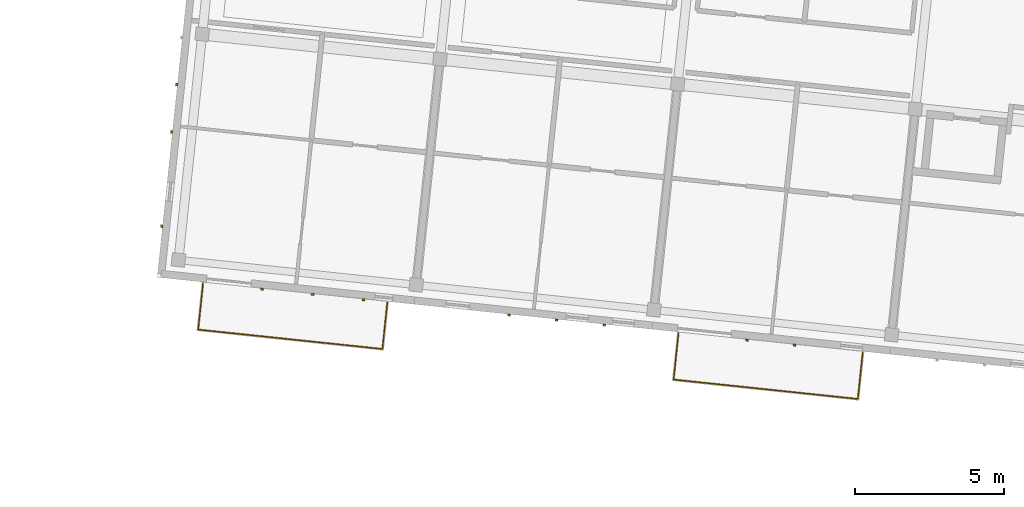
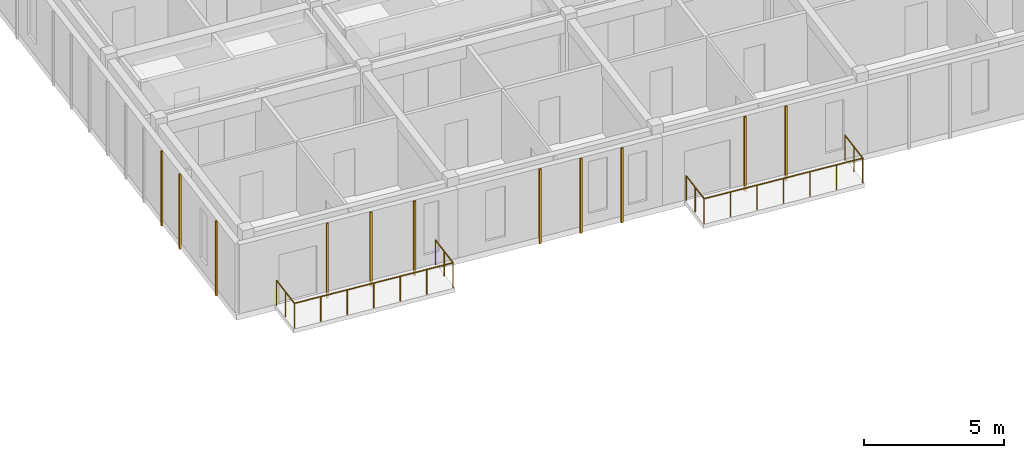
# One storey, part 47 of 56: 11 coverings, 2 railings.
"""IFC4 building model written with IfcOpenShell, lengths in metres."""

from ifc_helpers import new_model, si_unit, direction, frame, origin, origin_2d, place, context, subcontext, project, spatial, rectangle, circle, extrude, material, layer, layer_set, type_object, element, save


model = new_model("IFC4")

# Units and contexts
model_context = context("Model", 3, precision=1e-05, world=origin(), true_north=direction((0.0, 1.0)))
body_context = subcontext(model_context, "Body", "Model", "MODEL_VIEW")
ifc_project = project(units=[si_unit("LENGTHUNIT", "METRE"), si_unit("AREAUNIT", "SQUARE_METRE"), si_unit("VOLUMEUNIT", "CUBIC_METRE"), si_unit("PLANEANGLEUNIT", "RADIAN"), si_unit("MASSUNIT", "GRAM", prefix="KILO")], contexts=[model_context])

# Site, building, storey
site_placement = place(None, origin())
site = spatial("IfcSite", under=ifc_project, at=site_placement, CompositionType="ELEMENT")
building_placement = place(site_placement, origin())
building = spatial("IfcBuilding", under=site, at=building_placement, Name="Kestramere Prow Commons", CompositionType="ELEMENT")
storey_placement = place(building_placement, frame((0.0, 0.0, 27.89990234375)))
storey = spatial("IfcBuildingStorey", under=building, at=storey_placement, Name="L08", CompositionType="ELEMENT", Elevation=27.89990234375)

# Coverings
ifc_material_1 = material(Name="Weathered Zinc-Titanium Standing-Seam Cladding")
ifc_layer = layer(ifc_material_1, 0.074951171875)
ifc_layer_set = layer_set([ifc_layer], Name="Weathered Zinc-Titanium Standing-Seam Cladding")
covering_type = type_object("IfcCoveringType", Name="COV-CLAD-SEAM", PredefinedType="CLADDING", material=ifc_layer_set)
for number, where, z_axis, x_axis, name in (
    (1, (116.189697265625, 93.46826171875, -0.25), (0.0, 0.0, 1.0), (-0.994521895368, 0.104528463268, 0.0), "EW-B-L08-S-0 Standing-Seam Rib 1"),
    (2, (114.494140625, 93.646484375, -0.25), (0.0, 0.0, 1.0), (-0.994521895368, 0.104528463268, 0.0), "EW-B-L08-S-0 Standing-Seam Rib 2"),
    (3, (112.79833984375, 93.82470703125, -0.25), (0.0, 0.0, 1.0), (-0.994521895368, 0.104528463268, 0.0), "EW-B-L08-S-0 Standing-Seam Rib 3"),
    (4, (124.250244140625, 92.62109375, -0.25), (0.0, 0.0, 1.0), (-0.994521895368, 0.104528463268, 0.0), "EW-B-L08-S-1 Standing-Seam Rib 1"),
    (5, (122.6591796875, 92.788330078125, -0.25), (0.0, 0.0, 1.0), (-0.994521895368, 0.104528463268, 0.0), "EW-B-L08-S-1 Standing-Seam Rib 2"),
    (6, (121.06787109375, 92.95556640625, -0.25), (0.0, 0.0, 1.0), (-0.994521895368, 0.104528463268, 0.0), "EW-B-L08-S-1 Standing-Seam Rib 3"),
    (7, (130.615234375, 91.951904296875, -0.25), (0.0, 0.0, 1.0), (-0.994521895368, 0.104528463268, 0.0), "EW-B-L08-S-2 Standing-Seam Rib 2"),
    (8, (129.02392578125, 92.119384765625, -0.25), (0.0, 0.0, 1.0), (-0.994521895368, 0.104528463268, 0.0), "EW-B-L08-S-2 Standing-Seam Rib 3"),
    (9, (109.437255859375, 95.928466796875, -0.25), (0.0, 0.0, 1.0), (0.104528463268, 0.994521895368, 0.0), "EW-B-L08-EAV Standing-Seam Rib 1"),
    (10, (109.76953125, 99.087890625, -0.25), (0.0, 0.0, 1.0), (0.104528463268, 0.994521895368, 0.0), "EW-B-L08-EAV Standing-Seam Rib 3"),
    (11, (109.935546875, 100.667724609375, -0.25), (0.0, 0.0, 1.0), (0.104528463268, 0.994521895368, 0.0), "EW-B-L08-EAV Standing-Seam Rib 4"),
):
    element("IfcCovering", number, at=place(storey_placement, frame(where, z_axis=z_axis, x_axis=x_axis)), inside=storey, type_object=covering_type, Name=name, PredefinedType="CLADDING", context=body_context, shape_type="SweptSolid", body=[
        extrude(rectangle(XDim=0.0849609375, YDim=0.06494140625, at=origin_2d()), origin(), (0.0, 0.0, 1.0), 3.25),
    ])

# Railings
ifc_material_2 = material(Name="Powder-Coated Aluminium 6063-T6", Category="aluminium")
railing_type = type_object("IfcRailingType", Name="GRD-BALC-1100", PredefinedType="BALUSTRADE", material=ifc_material_2)
railing_1_placement = place(storey_placement, frame((110.822998046875, 94.019775390625, 0.0)))
element("IfcRailing", 12, at=railing_1_placement, inside=storey, type_object=railing_type, Name="Block B L08 Balcony Guardrail 1", PredefinedType="BALUSTRADE", context=body_context, shape_type="SweptSolid", body=[
    extrude(circle(Radius=0.02392578125, at=origin_2d()), frame((0.0, 0.0, 1.076171875), z_axis=(-0.104538150424, -0.994520877159, 0.0), x_axis=(0.994520877159, -0.104538150424, 0.0)), (0.0, 0.0, 1.0), 1.56005859375),
    extrude(circle(Radius=0.02392578125, at=origin_2d()), frame((-0.1630859375, -1.551513671875, 1.076171875), z_axis=(0.994519899862, -0.104547447503, 0.0), x_axis=(0.104547447503, 0.994519899862, 0.0)), (0.0, 0.0, 1.0), 6.199951171875),
    extrude(circle(Radius=0.02392578125, at=origin_2d()), frame((6.0029296875, -2.19970703125, 1.076171875), z_axis=(0.104538150424, 0.994520877159, 0.0), x_axis=(-0.994520877159, 0.104538150424, 0.0)), (0.0, 0.0, 1.0), 1.56005859375),
    extrude(circle(Radius=0.02099609375, at=origin_2d()), origin(), (0.0, 0.0, 1.0), 1.052001953125),
    extrude(circle(Radius=0.02099609375, at=origin_2d()), frame((-0.08154296875, -0.77587890625, 0.0)), (0.0, 0.0, 1.0), 1.052001953125),
    extrude(circle(Radius=0.02099609375, at=origin_2d()), frame((-0.1630859375, -1.551513671875, 0.0)), (0.0, 0.0, 1.0), 1.052001953125),
    extrude(circle(Radius=0.02099609375, at=origin_2d()), frame((0.864501953125, -1.65966796875, 0.0)), (0.0, 0.0, 1.0), 1.052001953125),
    extrude(circle(Radius=0.02099609375, at=origin_2d()), frame((1.892333984375, -1.767578125, 0.0)), (0.0, 0.0, 1.0), 1.052001953125),
    extrude(circle(Radius=0.02099609375, at=origin_2d()), frame((2.919921875, -1.87548828125, 0.0)), (0.0, 0.0, 1.0), 1.052001953125),
    extrude(circle(Radius=0.02099609375, at=origin_2d()), frame((3.947509765625, -1.983642578125, 0.0)), (0.0, 0.0, 1.0), 1.052001953125),
    extrude(circle(Radius=0.02099609375, at=origin_2d()), frame((4.975341796875, -2.091796875, 0.0)), (0.0, 0.0, 1.0), 1.052001953125),
    extrude(circle(Radius=0.02099609375, at=origin_2d()), frame((6.0029296875, -2.19970703125, 0.0)), (0.0, 0.0, 1.0), 1.052001953125),
    extrude(circle(Radius=0.02099609375, at=origin_2d()), frame((6.08447265625, -1.423828125, 0.0)), (0.0, 0.0, 1.0), 1.052001953125),
    extrude(circle(Radius=0.02099609375, at=origin_2d()), frame((6.166015625, -0.648193359375, 0.0)), (0.0, 0.0, 1.0), 1.052001953125),
])
railing_2_placement = place(storey_placement, frame((126.7353515625, 92.34716796875, 0.0)))
element("IfcRailing", 13, at=railing_2_placement, inside=storey, type_object=railing_type, Name="Block B L08 Balcony Guardrail 3", PredefinedType="BALUSTRADE", context=body_context, shape_type="SweptSolid", body=[
    extrude(circle(Radius=0.02392578125, at=origin_2d()), frame((0.0, 0.0, 1.076171875), z_axis=(-0.104554422924, -0.994519166556, 0.0), x_axis=(0.994519166556, -0.104554422924, 0.0)), (0.0, 0.0, 1.0), 1.559814453125),
    extrude(circle(Radius=0.02392578125, at=origin_2d()), frame((-0.1630859375, -1.55126953125, 1.076171875), z_axis=(0.994519899862, -0.104547447503, 0.0), x_axis=(0.104547447503, 0.994519899862, 0.0)), (0.0, 0.0, 1.0), 6.199951171875),
    extrude(circle(Radius=0.02392578125, at=origin_2d()), frame((6.0029296875, -2.199462890625, 1.076171875), z_axis=(0.104538150424, 0.994520877159, 0.0), x_axis=(-0.994520877159, 0.104538150424, 0.0)), (0.0, 0.0, 1.0), 1.56005859375),
    extrude(circle(Radius=0.02099609375, at=origin_2d()), origin(), (0.0, 0.0, 1.0), 1.052001953125),
    extrude(circle(Radius=0.02099609375, at=origin_2d()), frame((-0.08154296875, -0.775634765625, 0.0)), (0.0, 0.0, 1.0), 1.052001953125),
    extrude(circle(Radius=0.02099609375, at=origin_2d()), frame((-0.1630859375, -1.55126953125, 0.0)), (0.0, 0.0, 1.0), 1.052001953125),
    extrude(circle(Radius=0.02099609375, at=origin_2d()), frame((0.864501953125, -1.6591796875, 0.0)), (0.0, 0.0, 1.0), 1.052001953125),
    extrude(circle(Radius=0.02099609375, at=origin_2d()), frame((1.892333984375, -1.767333984375, 0.0)), (0.0, 0.0, 1.0), 1.052001953125),
    extrude(circle(Radius=0.02099609375, at=origin_2d()), frame((2.919921875, -1.87548828125, 0.0)), (0.0, 0.0, 1.0), 1.052001953125),
    extrude(circle(Radius=0.02099609375, at=origin_2d()), frame((3.947509765625, -1.9833984375, 0.0)), (0.0, 0.0, 1.0), 1.052001953125),
    extrude(circle(Radius=0.02099609375, at=origin_2d()), frame((4.975341796875, -2.09130859375, 0.0)), (0.0, 0.0, 1.0), 1.052001953125),
    extrude(circle(Radius=0.02099609375, at=origin_2d()), frame((6.0029296875, -2.199462890625, 0.0)), (0.0, 0.0, 1.0), 1.052001953125),
    extrude(circle(Radius=0.02099609375, at=origin_2d()), frame((6.08447265625, -1.423828125, 0.0)), (0.0, 0.0, 1.0), 1.052001953125),
    extrude(circle(Radius=0.02099609375, at=origin_2d()), frame((6.166015625, -0.64794921875, 0.0)), (0.0, 0.0, 1.0), 1.052001953125),
])

save(model, "model.ifc")
